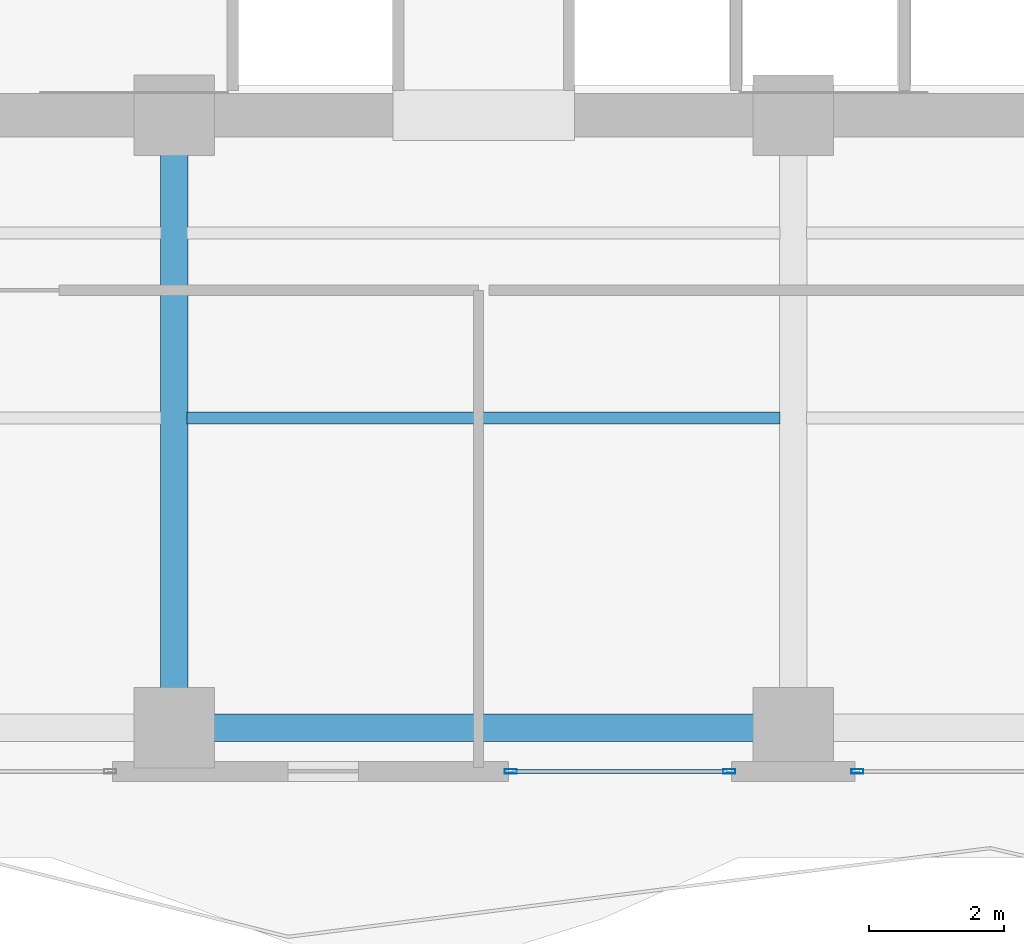
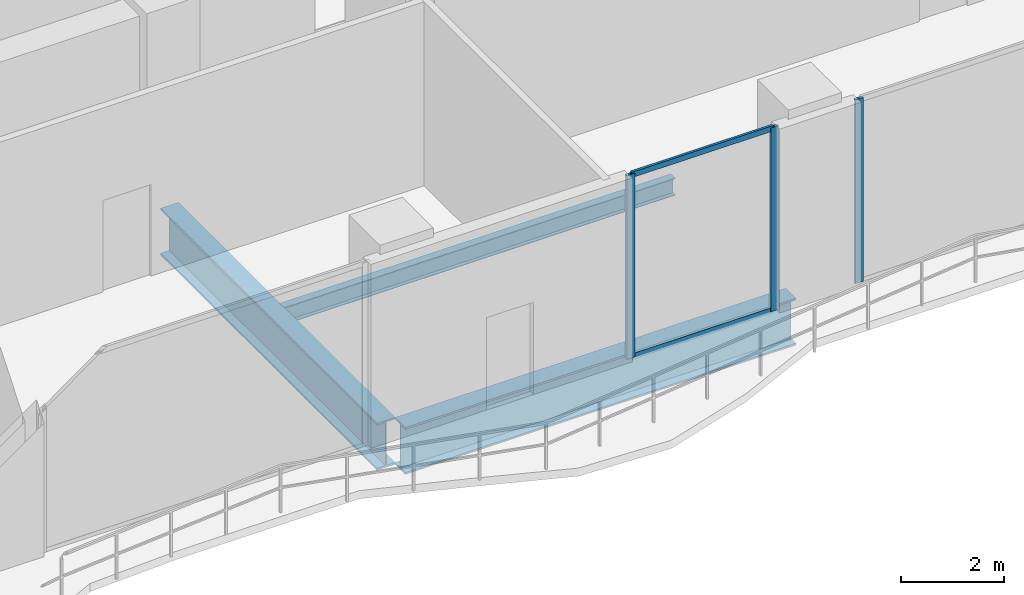
# One storey, part 6 of 33: 5 members, 3 beams, 2 elements without a shape of their own.
"""IFC4 building model written with IfcOpenShell, lengths in metres."""

from ifc_helpers import new_model, si_unit, direction, frame, origin, origin_2d, place, context, subcontext, project, spatial, hollow_rectangle, i_section, extrude, material, layer, layer_set, material_profile, profile_set, type_object, element, aggregate, save


model = new_model("IFC4")

# Units and contexts
model_context = context("Model", 3, precision=1e-05, world=origin(), true_north=direction((0.0, 1.0)))
body_context = subcontext(model_context, "Body", "Model", "MODEL_VIEW")
ifc_project = project(units=[si_unit("LENGTHUNIT", "METRE"), si_unit("AREAUNIT", "SQUARE_METRE"), si_unit("VOLUMEUNIT", "CUBIC_METRE"), si_unit("PLANEANGLEUNIT", "RADIAN"), si_unit("MASSUNIT", "GRAM", prefix="KILO")], contexts=[model_context])

# Site, building, storey
site_placement = place(None, origin())
site = spatial("IfcSite", under=ifc_project, at=site_placement, CompositionType="ELEMENT")
building_placement = place(site_placement, origin())
building = spatial("IfcBuilding", under=site, at=building_placement, Name="Zuhayl Quay Hotel", CompositionType="ELEMENT")
storey_placement = place(building_placement, frame((0.0, 0.0, 168.199951171875)))
storey = spatial("IfcBuildingStorey", under=building, at=storey_placement, Name="L42", CompositionType="ELEMENT", Elevation=168.199951171875)

# Beams
ifc_material_1 = material(Name="Steel ASTM A992 Grade 50", Category="steel")
ifc_material_profile_1 = material_profile(ifc_material_1, i_section(OverallWidth=0.177978515625, OverallDepth=0.406005859375, WebThickness=0.0078125, FlangeThickness=0.0126953125, at=origin_2d()), Name="W16X40")
ifc_profile_set_1 = profile_set([ifc_material_profile_1], Name="Steel ASTM A992 Grade 50")
beam_type_1 = type_object("IfcBeamType", Name="BM_J2B_W16X40", PredefinedType="JOIST", material=ifc_profile_set_1)
beam_1_placement = place(storey_placement, frame((-4.406005859375, -2.35009765625, -0.462890625), z_axis=(1.0, 0.0, 0.0), x_axis=(0.0, 1.0, 0.0)))
element("IfcBeam", 1, at=beam_1_placement, inside=storey, type_object=beam_type_1, Name="L42 Floor Beam FJ_L42_7_2", PredefinedType="JOIST", context=body_context, shape_type="SweptSolid", body=[
    extrude(i_section(OverallWidth=0.177978515625, OverallDepth=0.406005859375, WebThickness=0.0078125, FlangeThickness=0.0126953125, at=origin_2d()), origin(), (0.0, 0.0, 1.0), 8.81201171875),
])
ifc_material_2 = material(Name="Steel ASTM A913 Grade 65", Category="steel")
ifc_material_profile_2 = material_profile(ifc_material_2, i_section(OverallWidth=0.404052734375, OverallDepth=1.117919921875, WebThickness=0.026123046875, FlangeThickness=0.044921875, at=origin_2d()), Name="W44X335")
ifc_profile_set_2 = profile_set([ifc_material_profile_2], Name="Steel ASTM A913 Grade 65")
beam_type_2 = type_object("IfcBeamType", Name="BM_TG1_W44X335", PredefinedType="BEAM", material=ifc_profile_set_2)
beam_2_placement = place(storey_placement, frame((-4.39990234375, -6.949951171875, -0.81884765625), z_axis=(1.0, 0.0, 0.0), x_axis=(0.0, 1.0, 0.0)))
element("IfcBeam", 2, at=beam_2_placement, inside=storey, type_object=beam_type_2, Name="L42 Floor Beam RG_L42_02", PredefinedType="BEAM", context=body_context, shape_type="SweptSolid", body=[
    extrude(i_section(OverallWidth=0.404052734375, OverallDepth=1.117919921875, WebThickness=0.026123046875, FlangeThickness=0.044921875, at=origin_2d()), origin(), (0.0, 0.0, 1.0), 8.7998046875),
])
beam_3_placement = place(storey_placement, frame((-4.60009765625, -6.75, -0.81884765625), z_axis=(0.0, 1.0, 0.0), x_axis=(-1.0, 0.0, 0.0)))
element("IfcBeam", 3, at=beam_3_placement, inside=storey, type_object=beam_type_2, Name="L42 Floor Beam FG_S_L42_2", PredefinedType="BEAM", context=body_context, shape_type="SweptSolid", body=[
    extrude(i_section(OverallWidth=0.404052734375, OverallDepth=1.117919921875, WebThickness=0.026123046875, FlangeThickness=0.044921875, at=origin_2d()), origin(), (0.0, 0.0, 1.0), 8.449951171875),
])

# Curtain wall, member
ifc_material_3 = material(Name="Anodised Aluminium 6063-T6", Category="aluminium")
ifc_layer = layer(ifc_material_3, 0.175048828125, Name="Anodised Aluminium 6063-T6", Category="aluminium")
ifc_layer_set = layer_set([ifc_layer], Name="Anodised Aluminium 6063-T6")
curtain_wall_type = type_object("IfcCurtainWallType", Name="CW_SYS_Z3", PredefinedType="USERDEFINED", material=ifc_layer_set)
curtain_wall_1_placement = place(storey_placement, origin())
curtain_wall_1 = element("IfcCurtainWall", 4, at=curtain_wall_1_placement, inside=storey, type_object=curtain_wall_type, Name="L42 Curtain Wall ENV_L42_S_CW2", ObjectType="UNITISED CURTAIN WALL", PredefinedType="USERDEFINED")
ifc_material_4 = material(Name="Black-anodised aluminium 6063-T6", Category="aluminium")
ifc_material_profile_3 = material_profile(ifc_material_4, hollow_rectangle(XDim=0.06494140625, YDim=0.179931640625, WallThickness=0.00341796875, at=origin_2d()), Name="ALU180X65")
ifc_profile_set_3 = profile_set([ifc_material_profile_3], Name="Black-anodised aluminium 6063-T6")
member_type_1 = type_object("IfcMemberType", Name="MB_CW_MUL_180", PredefinedType="MULLION", material=ifc_profile_set_3)
member_1_placement = place(storey_placement, frame((5.552490234375, -7.60009765625, 0.0), z_axis=(0.0, 0.0, 1.0), x_axis=(0.0, -1.0, 0.0)))
member_1 = element("IfcMember", 5, at=member_1_placement, type_object=member_type_1, Name="CW-Z3 mullion 2", PredefinedType="MULLION", context=body_context, shape_type="SweptSolid", body=[
    extrude(hollow_rectangle(XDim=0.06494140625, YDim=0.179931640625, WallThickness=0.00341796875, at=origin_2d()), origin(), (0.0, 0.0, 1.0), 4.380126953125),
])
aggregate(curtain_wall_1, [member_1])

# Curtain wall, members
curtain_wall_2_placement = place(storey_placement, origin())
curtain_wall_2 = element("IfcCurtainWall", 6, at=curtain_wall_2_placement, inside=storey, type_object=curtain_wall_type, Name="L42 Curtain Wall ENV_L42_S_CW3", ObjectType="UNITISED CURTAIN WALL", PredefinedType="USERDEFINED")
member_2_placement = place(storey_placement, frame((3.6474609375, -7.60009765625, 0.0), z_axis=(0.0, 0.0, 1.0), x_axis=(0.0, -1.0, 0.0)))
member_2 = element("IfcMember", 7, at=member_2_placement, type_object=member_type_1, Name="CW-Z3 mullion 1", PredefinedType="MULLION", context=body_context, shape_type="SweptSolid", body=[
    extrude(hollow_rectangle(XDim=0.06494140625, YDim=0.179931640625, WallThickness=0.00341796875, at=origin_2d()), origin(), (0.0, 0.0, 1.0), 4.380126953125),
])
member_3_placement = place(storey_placement, frame((0.402587890625, -7.60009765625, 0.0), z_axis=(0.0, 0.0, 1.0), x_axis=(0.0, -1.0, 0.0)))
member_3 = element("IfcMember", 8, at=member_3_placement, type_object=member_type_1, Name="CW-Z3 mullion 2", PredefinedType="MULLION", context=body_context, shape_type="SweptSolid", body=[
    extrude(hollow_rectangle(XDim=0.06494140625, YDim=0.179931640625, WallThickness=0.00341796875, at=origin_2d()), origin(), (0.0, 0.0, 1.0), 4.380126953125),
])
ifc_material_profile_4 = material_profile(ifc_material_4, hollow_rectangle(XDim=0.054931640625, YDim=0.1298828125, WallThickness=0.0029296875, at=origin_2d()), Name="ALU130X55")
ifc_profile_set_4 = profile_set([ifc_material_profile_4], Name="Black-anodised aluminium 6063-T6")
member_type_2 = type_object("IfcMemberType", Name="MB_CW_TRN_130", PredefinedType="USERDEFINED", material=ifc_profile_set_4)
member_4_placement = place(storey_placement, frame((3.614990234375, -7.60009765625, 0.027587890625), z_axis=(-1.0, 0.0, 0.0), x_axis=(0.0, -1.0, 0.0)))
member_4 = element("IfcMember", 9, at=member_4_placement, type_object=member_type_2, Name="CW-Z3 transom 1.1", ObjectType="TRANSOM", PredefinedType="USERDEFINED", context=body_context, shape_type="SweptSolid", body=[
    extrude(hollow_rectangle(XDim=0.054931640625, YDim=0.1298828125, WallThickness=0.0029296875, at=origin_2d()), origin(), (0.0, 0.0, 1.0), 3.179931640625),
])
member_5_placement = place(storey_placement, frame((3.614990234375, -7.60009765625, 4.3525390625), z_axis=(-1.0, 0.0, 0.0), x_axis=(0.0, -1.0, 0.0)))
member_5 = element("IfcMember", 10, at=member_5_placement, type_object=member_type_2, Name="CW-Z3 transom 1.2", ObjectType="TRANSOM", PredefinedType="USERDEFINED", context=body_context, shape_type="SweptSolid", body=[
    extrude(hollow_rectangle(XDim=0.054931640625, YDim=0.1298828125, WallThickness=0.0029296875, at=origin_2d()), origin(), (0.0, 0.0, 1.0), 3.179931640625),
])
aggregate(curtain_wall_2, [member_2, member_3, member_4, member_5])

save(model, "model.ifc")
